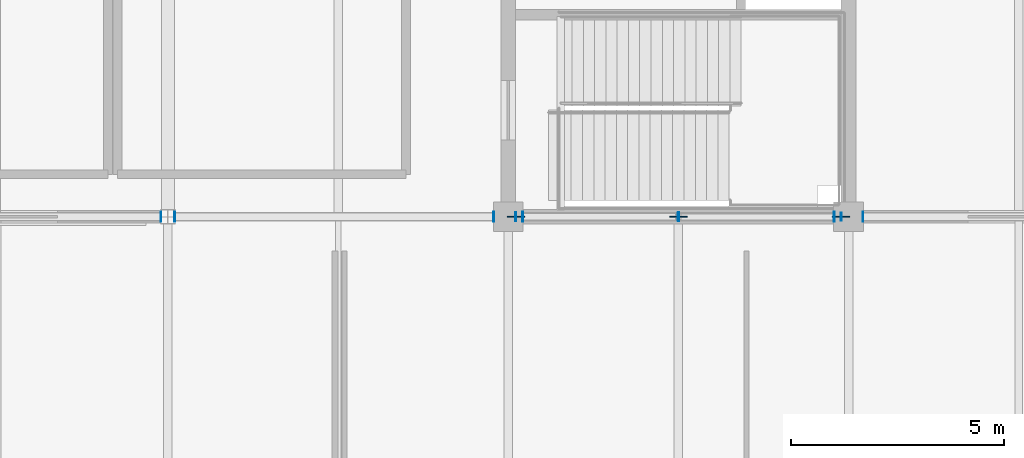
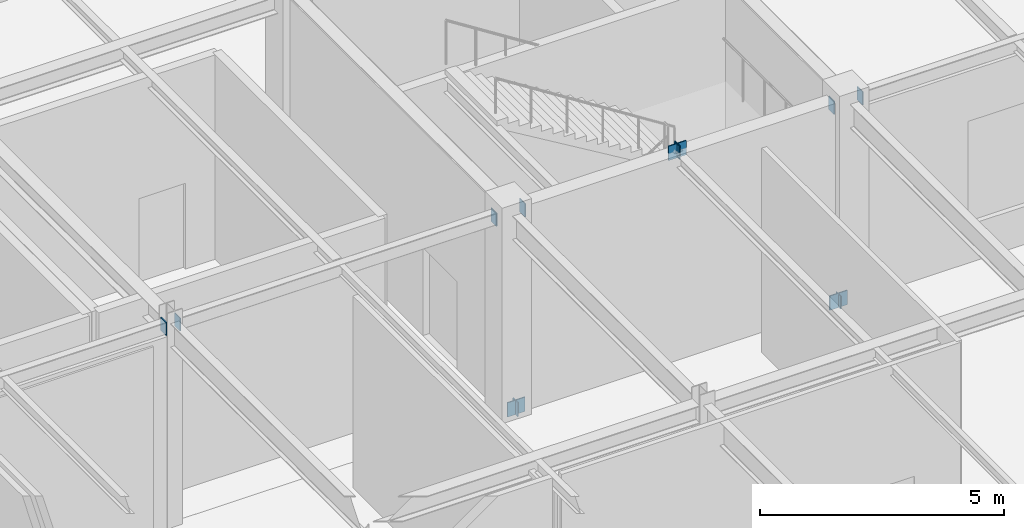
# One storey, part 142 of 184: 13 plates.
"""IFC4 building model written with IfcOpenShell, lengths in metres."""

from ifc_helpers import new_model, si_unit, direction, frame, origin, origin_2d, place, context, subcontext, project, spatial, rectangle, extrude, material, layer, layer_set, type_object, element, save


model = new_model("IFC4")

# Units and contexts
model_context = context("Model", 3, precision=1e-05, world=origin(), true_north=direction((0.0, 1.0)))
body_context = subcontext(model_context, "Body", "Model", "MODEL_VIEW")
ifc_project = project(units=[si_unit("LENGTHUNIT", "METRE"), si_unit("AREAUNIT", "SQUARE_METRE"), si_unit("VOLUMEUNIT", "CUBIC_METRE"), si_unit("PLANEANGLEUNIT", "RADIAN"), si_unit("MASSUNIT", "GRAM", prefix="KILO")], contexts=[model_context])

# Site, building, storey
site_placement = place(None, origin())
site = spatial("IfcSite", under=ifc_project, at=site_placement, CompositionType="ELEMENT")
building_placement = place(site_placement, origin())
building = spatial("IfcBuilding", under=site, at=building_placement, Name="Zhaolan Boulevard Law Courts", CompositionType="ELEMENT")
storey_placement = place(building_placement, frame((0.0, 0.0, 5.39990234375)))
storey = spatial("IfcBuildingStorey", under=building, at=storey_placement, Name="L01", CompositionType="ELEMENT", Elevation=5.39990234375)

# Plates
ifc_material_1 = material(Name="Structural steel Q355B", Category="steel")
ifc_layer_1 = layer(ifc_material_1, 0.02392578125)
ifc_layer_set_1 = layer_set([ifc_layer_1])
plate_type_1 = type_object("IfcPlateType", Name="BRACE GUSSET PLATE 24", PredefinedType="SHEET", material=ifc_layer_set_1)
for number, where, z_axis, x_axis, name in (
    (1, (76.179931640625, 94.0, -0.14990234375), (0.0, 0.0, 1.0), (1.0, 0.0, 0.0), "Brace Gusset Connection Plate GP-C1-L01-SA1"),
    (2, (83.820068359375, 94.0, -0.14990234375), (0.0, 0.0, 1.0), (1.0, 0.0, 0.0), "Brace Gusset Connection Plate GP-C1-L01-SA2"),
    (3, (80.0, 94.0, 4.93994140625), (0.0, 0.0, 1.0), (1.0, 0.0, 0.0), "Brace Gusset Connection Plate GP-C1-L01-SAPX"),
):
    element("IfcPlate", number, at=place(storey_placement, frame(where, z_axis=z_axis, x_axis=x_axis)), inside=storey, type_object=plate_type_1, Name=name, PredefinedType="SHEET", context=body_context, shape_type="SweptSolid", body=[
        extrude(rectangle(XDim=0.419921875, YDim=0.02392578125, at=origin_2d()), origin(), (0.0, 0.0, 1.0), 0.360107421875),
    ])
ifc_material_2 = material(Name="Structural steel Q355B", Category="steel")
ifc_layer_2 = layer(ifc_material_2, 0.02001953125)
ifc_layer_set_2 = layer_set([ifc_layer_2])
plate_type_2 = type_object("IfcPlateType", Name="END CAP PLATE 20", PredefinedType="SHEET", material=ifc_layer_set_2)
for number, where, z_axis, x_axis, name in (
    (4, (67.8369140625, 94.0, 4.802978515625), (0.0, 0.0, 1.0), (1.0, 0.0, 0.0), "Hollow Section End-Cap Plate ECP-0828"),
    (5, (68.1630859375, 94.0, 4.802978515625), (0.0, 0.0, 1.0), (1.0, 0.0, 0.0), "Hollow Section End-Cap Plate ECP-0829"),
    (6, (75.662109375, 94.0, 4.802978515625), (0.0, 0.0, 1.0), (1.0, 0.0, 0.0), "Hollow Section End-Cap Plate ECP-0830"),
    (7, (76.337890625, 94.0, 4.802978515625), (0.0, 0.0, 1.0), (1.0, 0.0, 0.0), "Hollow Section End-Cap Plate ECP-0831"),
    (8, (83.662109375, 94.0, 4.802978515625), (0.0, 0.0, 1.0), (1.0, 0.0, 0.0), "Hollow Section End-Cap Plate ECP-0832"),
    (9, (84.337890625, 94.0, 4.802978515625), (0.0, 0.0, 1.0), (1.0, 0.0, 0.0), "Hollow Section End-Cap Plate ECP-0833"),
):
    element("IfcPlate", number, at=place(storey_placement, frame(where, z_axis=z_axis, x_axis=x_axis)), inside=storey, type_object=plate_type_2, Name=name, PredefinedType="SHEET", context=body_context, shape_type="SweptSolid", body=[
        extrude(rectangle(XDim=0.02001953125, YDim=0.22998046875, at=origin_2d()), origin(), (0.0, 0.0, 1.0), 0.330078125),
    ])
for number, where, z_axis, x_axis, name in (
    (10, (76.17529296875, 94.0, -0.1513671875), (0.0, 0.0, 1.0), (1.0, 0.0, 0.0), "Hollow Section End-Cap Plate ECP-1403"),
    (11, (80.0048828125, 94.0, 4.951416015625), (0.0, 0.0, 1.0), (1.0, 0.0, 0.0), "Hollow Section End-Cap Plate ECP-1404"),
):
    element("IfcPlate", number, at=place(storey_placement, frame(where, z_axis=z_axis, x_axis=x_axis)), inside=storey, type_object=plate_type_2, Name=name, PredefinedType="SHEET", context=body_context, shape_type="SweptSolid", body=[
        extrude(rectangle(XDim=0.02001953125, YDim=0.2099609375, at=origin_2d()), origin(), (0.0, 0.0, 1.0), 0.35009765625),
    ])
for number, where, z_axis, x_axis, name in (
    (12, (83.82470703125, 94.0, -0.134765625), (0.0, 0.0, 1.0), (-1.0, 0.0, 0.0), "Hollow Section End-Cap Plate ECP-1405"),
    (13, (79.9951171875, 94.0, 4.968017578125), (0.0, 0.0, 1.0), (-1.0, 0.0, 0.0), "Hollow Section End-Cap Plate ECP-1406"),
):
    element("IfcPlate", number, at=place(storey_placement, frame(where, z_axis=z_axis, x_axis=x_axis)), inside=storey, type_object=plate_type_2, Name=name, PredefinedType="SHEET", context=body_context, shape_type="SweptSolid", body=[
        extrude(rectangle(XDim=0.02001953125, YDim=0.18994140625, at=origin_2d()), origin(), (0.0, 0.0, 1.0), 0.31689453125),
    ])

save(model, "model.ifc")
